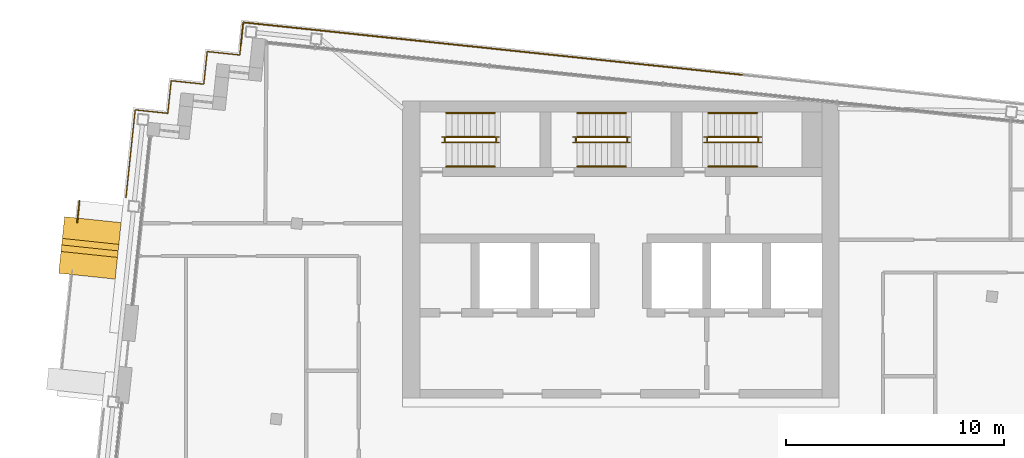
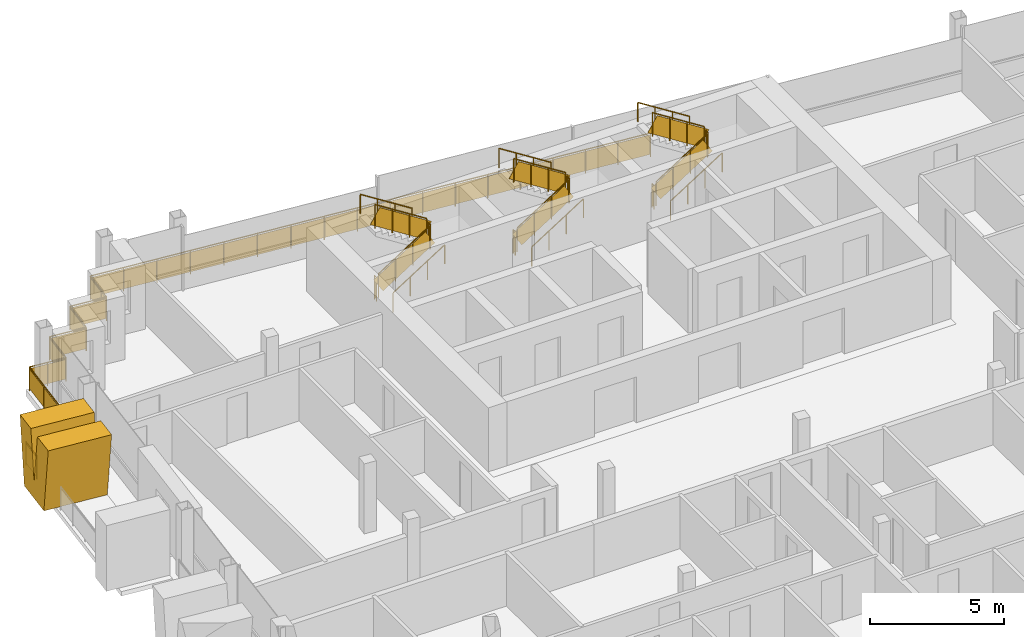
# One storey, part 16 of 17: 22 railings, 1 shading device.
"""IFC4 building model written with IfcOpenShell, lengths in metres."""

from ifc_helpers import new_model, si_unit, direction, frame, origin, origin_2d, place, context, subcontext, project, spatial, polyline, rectangle, circle, outline, extrude, material, layer, layer_set, type_object, element, save


model = new_model("IFC4")

# Units and contexts
model_context = context("Model", 3, precision=1e-05, world=origin(), true_north=direction((0.0, 1.0)))
body_context = subcontext(model_context, "Body", "Model", "MODEL_VIEW")
ifc_project = project(units=[si_unit("LENGTHUNIT", "METRE"), si_unit("AREAUNIT", "SQUARE_METRE"), si_unit("VOLUMEUNIT", "CUBIC_METRE"), si_unit("PLANEANGLEUNIT", "RADIAN"), si_unit("MASSUNIT", "GRAM", prefix="KILO")], contexts=[model_context])

# Site, building, storey
site_placement = place(None, origin())
site = spatial("IfcSite", under=ifc_project, at=site_placement, CompositionType="ELEMENT")
building_placement = place(site_placement, origin())
building = spatial("IfcBuilding", under=site, at=building_placement, Name="Vidyagriha Tower", CompositionType="ELEMENT")
storey_placement = place(building_placement, frame((0.0, 0.0, 269.10009765625)))
storey = spatial("IfcBuildingStorey", under=building, at=storey_placement, Name="L70", CompositionType="ELEMENT", Elevation=269.10009765625)

# Railing
ifc_material_1 = material(Name="Steel ASTM A500 Grade C black painted", Category="steel")
railing_type_1 = type_object("IfcRailingType", Name="Balcony guard 1100", PredefinedType="BALUSTRADE", material=ifc_material_1)
railing_1_placement = place(storey_placement, frame((-24.7763671875, 15.435302734375, 0.0)))
element("IfcRailing", 1, at=railing_1_placement, inside=storey, type_object=railing_type_1, Name="Balcony guard L70 R14.1-1", PredefinedType="BALUSTRADE", context=body_context, shape_type="SweptSolid", body=[
    extrude(circle(Radius=0.02490234375, at=origin_2d()), frame((0.0, 0.0, 1.0751953125), z_axis=(-0.104595526741, -0.994514844427, 0.0), x_axis=(0.994514844427, -0.104595526741, 0.0)), (0.0, 0.0, 1.0), 0.99658203125),
    extrude(circle(Radius=0.02001953125, at=origin_2d()), origin(), (0.0, 0.0, 1.0), 1.050048828125),
    extrude(circle(Radius=0.02001953125, at=origin_2d()), frame((-0.104248046875, -0.9912109375, 0.0)), (0.0, 0.0, 1.0), 1.050048828125),
    extrude(rectangle(XDim=0.010009765625, YDim=0.900146484375, at=origin_2d()), frame((0.0, 0.0, 0.550048828125), z_axis=(-0.104595526741, -0.994514844427, 0.0), x_axis=(0.994514844427, -0.104595526741, 0.0)), (0.0, 0.0, 1.0), 0.99658203125),
])

# Shading device
ifc_material_2 = material(Name="Precast concrete C40/50 with buff brick facing", Category="concrete")
ifc_layer = layer(ifc_material_2, 1.0)
ifc_layer_set = layer_set([ifc_layer], Name="Precast concrete C40/50 with buff brick facing")
shading_device_type = type_object("IfcShadingDeviceType", Name="Brick-faced blade fin forking 8 degrees", PredefinedType="USERDEFINED", material=ifc_layer_set)
shading_device_placement = place(storey_placement, frame((-24.163818359375, 14.56640625, 0.0), z_axis=(0.0, 0.0, 1.0), x_axis=(-0.104606575594, -0.99451368233, 0.0)))
element("IfcShadingDevice", 2, at=shading_device_placement, inside=storey, type_object=shading_device_type, Name="Forked blade fin L70 R14.330a", ObjectType="BLADE FIN", PredefinedType="USERDEFINED", context=body_context, shape_type="SweptSolid", body=[
    extrude(outline(polyline([(0.39990234375, 0.0), (2.199951171875, 0.0), (2.60009765625, 3.0), (1.60009765625, 3.0), (1.300048828125, 0.75), (1.0, 3.0), (0.0, 3.0), (0.39990234375, 0.0)])), frame((0.0, 1.300048828125, 0.0), z_axis=(0.0, -1.0, 0.0), x_axis=(1.0, 0.0, 0.0)), (0.0, 0.0, 1.0), 2.60009765625),
])

# Railings
ifc_material_3 = material(Name="Steel ASTM A500 Grade C black painted", Category="steel")
railing_type_2 = type_object("IfcRailingType", Name="Gallery guard 1100", PredefinedType="GUARDRAIL", material=ifc_material_3)
railing_2_placement = place(storey_placement, frame((-22.650390625, 15.57373046875, 0.0)))
element("IfcRailing", 3, at=railing_2_placement, inside=storey, type_object=railing_type_2, Name="Gallery guard L70 4", PredefinedType="GUARDRAIL", context=body_context, shape_type="SweptSolid", body=[
    extrude(circle(Radius=0.02490234375, at=origin_2d()), frame((0.0, 0.0, 1.0751953125), z_axis=(0.104546370699, 0.994520013058, 0.0), x_axis=(-0.994520013058, 0.104546370699, 0.0)), (0.0, 0.0, 1.0), 4.0400390625),
    extrude(circle(Radius=0.02490234375, at=origin_2d()), frame((0.42236328125, 4.017822265625, 1.0751953125), z_axis=(0.994526834051, -0.104481464157, 0.0), x_axis=(0.104481464157, 0.994526834051, 0.0)), (0.0, 0.0, 1.0), 1.500244140625),
    extrude(circle(Radius=0.02490234375, at=origin_2d()), frame((1.914306640625, 3.861083984375, 1.0751953125), z_axis=(0.104498377516, 0.994525057048, 0.0), x_axis=(-0.994525057048, 0.104498377516, 0.0)), (0.0, 0.0, 1.0), 1.5),
    extrude(circle(Radius=0.02490234375, at=origin_2d()), frame((2.071044921875, 5.352783203125, 1.0751953125), z_axis=(0.994525057048, -0.104498377516, 0.0), x_axis=(0.104498377516, 0.994525057048, 0.0)), (0.0, 0.0, 1.0), 1.5),
    extrude(circle(Radius=0.02490234375, at=origin_2d()), frame((3.562744140625, 5.196044921875, 1.0751953125), z_axis=(0.104498377516, 0.994525057048, 0.0), x_axis=(-0.994525057048, 0.104498377516, 0.0)), (0.0, 0.0, 1.0), 1.5),
    extrude(circle(Radius=0.02490234375, at=origin_2d()), frame((3.719482421875, 6.687744140625, 1.0751953125), z_axis=(0.994525057048, -0.104498377516, 0.0), x_axis=(0.104498377516, 0.994525057048, 0.0)), (0.0, 0.0, 1.0), 1.5),
    extrude(circle(Radius=0.02490234375, at=origin_2d()), frame((5.211181640625, 6.531005859375, 1.0751953125), z_axis=(0.10449150849, 0.994525778778, 0.0), x_axis=(-0.994525778778, 0.10449150849, 0.0)), (0.0, 0.0, 1.0), 0.460205078125),
    extrude(circle(Radius=0.02001953125, at=origin_2d()), origin(), (0.0, 0.0, 1.0), 1.050048828125),
    extrude(circle(Radius=0.02001953125, at=origin_2d()), frame((0.140869140625, 1.33935546875, 0.0)), (0.0, 0.0, 1.0), 1.050048828125),
    extrude(circle(Radius=0.02001953125, at=origin_2d()), frame((0.281494140625, 2.678466796875, 0.0)), (0.0, 0.0, 1.0), 1.050048828125),
    extrude(circle(Radius=0.02001953125, at=origin_2d()), frame((0.42236328125, 4.017822265625, 0.0)), (0.0, 0.0, 1.0), 1.050048828125),
    extrude(circle(Radius=0.02001953125, at=origin_2d()), frame((1.16845703125, 3.939453125, 0.0)), (0.0, 0.0, 1.0), 1.050048828125),
    extrude(circle(Radius=0.02001953125, at=origin_2d()), frame((1.914306640625, 3.861083984375, 0.0)), (0.0, 0.0, 1.0), 1.050048828125),
    extrude(circle(Radius=0.02001953125, at=origin_2d()), frame((2.071044921875, 5.352783203125, 0.0)), (0.0, 0.0, 1.0), 1.050048828125),
    extrude(circle(Radius=0.02001953125, at=origin_2d()), frame((3.562744140625, 5.196044921875, 0.0)), (0.0, 0.0, 1.0), 1.050048828125),
    extrude(circle(Radius=0.02001953125, at=origin_2d()), frame((3.719482421875, 6.687744140625, 0.0)), (0.0, 0.0, 1.0), 1.050048828125),
    extrude(circle(Radius=0.02001953125, at=origin_2d()), frame((5.211181640625, 6.531005859375, 0.0)), (0.0, 0.0, 1.0), 1.050048828125),
    extrude(circle(Radius=0.02001953125, at=origin_2d()), frame((5.25927734375, 6.98876953125, 0.0)), (0.0, 0.0, 1.0), 1.050048828125),
    extrude(rectangle(XDim=0.010009765625, YDim=0.900146484375, at=origin_2d()), frame((0.0, 0.0, 0.550048828125), z_axis=(0.104546370699, 0.994520013058, 0.0), x_axis=(-0.994520013058, 0.104546370699, 0.0)), (0.0, 0.0, 1.0), 4.0400390625),
    extrude(rectangle(XDim=0.010009765625, YDim=0.900146484375, at=origin_2d()), frame((0.42236328125, 4.017822265625, 0.550048828125), z_axis=(0.994526834051, -0.104481464157, 0.0), x_axis=(0.104481464157, 0.994526834051, 0.0)), (0.0, 0.0, 1.0), 1.500244140625),
    extrude(rectangle(XDim=0.010009765625, YDim=0.900146484375, at=origin_2d()), frame((1.914306640625, 3.861083984375, 0.550048828125), z_axis=(0.104498377516, 0.994525057048, 0.0), x_axis=(-0.994525057048, 0.104498377516, 0.0)), (0.0, 0.0, 1.0), 1.5),
    extrude(rectangle(XDim=0.010009765625, YDim=0.900146484375, at=origin_2d()), frame((2.071044921875, 5.352783203125, 0.550048828125), z_axis=(0.994525057048, -0.104498377516, 0.0), x_axis=(0.104498377516, 0.994525057048, 0.0)), (0.0, 0.0, 1.0), 1.5),
    extrude(rectangle(XDim=0.010009765625, YDim=0.900146484375, at=origin_2d()), frame((3.562744140625, 5.196044921875, 0.550048828125), z_axis=(0.104498377516, 0.994525057048, 0.0), x_axis=(-0.994525057048, 0.104498377516, 0.0)), (0.0, 0.0, 1.0), 1.5),
    extrude(rectangle(XDim=0.010009765625, YDim=0.900146484375, at=origin_2d()), frame((3.719482421875, 6.687744140625, 0.550048828125), z_axis=(0.994525057048, -0.104498377516, 0.0), x_axis=(0.104498377516, 0.994525057048, 0.0)), (0.0, 0.0, 1.0), 1.5),
    extrude(rectangle(XDim=0.010009765625, YDim=0.900146484375, at=origin_2d()), frame((5.211181640625, 6.531005859375, 0.550048828125), z_axis=(0.10449150849, 0.994525778778, 0.0), x_axis=(-0.994525778778, 0.10449150849, 0.0)), (0.0, 0.0, 1.0), 0.460205078125),
])
railing_3_placement = place(storey_placement, frame((-17.39111328125, 22.5625, 0.0)))
element("IfcRailing", 4, at=railing_3_placement, inside=storey, type_object=railing_type_2, Name="Gallery guard L70 5", PredefinedType="GUARDRAIL", context=body_context, shape_type="SweptSolid", body=[
    extrude(circle(Radius=0.02490234375, at=origin_2d()), frame((0.0, 0.0, 1.0751953125), z_axis=(0.104733680268, 0.994500304785, 0.0), x_axis=(-0.994500304785, 0.104733680268, 0.0)), (0.0, 0.0, 1.0), 1.03955078125),
    extrude(circle(Radius=0.02490234375, at=origin_2d()), frame((0.10888671875, 1.033935546875, 1.0751953125), z_axis=(0.994520943118, -0.104537522925, 0.0), x_axis=(0.104537522925, 0.994520943118, 0.0)), (0.0, 0.0, 1.0), 10.960205078125),
    extrude(circle(Radius=0.02001953125, at=origin_2d()), origin(), (0.0, 0.0, 1.0), 1.050048828125),
    extrude(circle(Radius=0.02001953125, at=origin_2d()), frame((0.10888671875, 1.033935546875, 0.0)), (0.0, 0.0, 1.0), 1.050048828125),
    extrude(circle(Radius=0.02001953125, at=origin_2d()), frame((1.471435546875, 0.890625, 0.0)), (0.0, 0.0, 1.0), 1.050048828125),
    extrude(circle(Radius=0.02001953125, at=origin_2d()), frame((2.833984375, 0.74755859375, 0.0)), (0.0, 0.0, 1.0), 1.050048828125),
    extrude(circle(Radius=0.02001953125, at=origin_2d()), frame((4.196533203125, 0.604248046875, 0.0)), (0.0, 0.0, 1.0), 1.050048828125),
    extrude(circle(Radius=0.02001953125, at=origin_2d()), frame((5.55908203125, 0.4609375, 0.0)), (0.0, 0.0, 1.0), 1.050048828125),
    extrude(circle(Radius=0.02001953125, at=origin_2d()), frame((6.92138671875, 0.31787109375, 0.0)), (0.0, 0.0, 1.0), 1.050048828125),
    extrude(circle(Radius=0.02001953125, at=origin_2d()), frame((8.283935546875, 0.174560546875, 0.0)), (0.0, 0.0, 1.0), 1.050048828125),
    extrude(circle(Radius=0.02001953125, at=origin_2d()), frame((9.646484375, 0.031494140625, 0.0)), (0.0, 0.0, 1.0), 1.050048828125),
    extrude(circle(Radius=0.02001953125, at=origin_2d()), frame((11.009033203125, -0.11181640625, 0.0)), (0.0, 0.0, 1.0), 1.050048828125),
    extrude(rectangle(XDim=0.010009765625, YDim=0.900146484375, at=origin_2d()), frame((0.0, 0.0, 0.550048828125), z_axis=(0.104733680268, 0.994500304785, 0.0), x_axis=(-0.994500304785, 0.104733680268, 0.0)), (0.0, 0.0, 1.0), 1.03955078125),
    extrude(rectangle(XDim=0.010009765625, YDim=0.900146484375, at=origin_2d()), frame((0.10888671875, 1.033935546875, 0.550048828125), z_axis=(0.994520943118, -0.104537522925, 0.0), x_axis=(0.104537522925, 0.994520943118, 0.0)), (0.0, 0.0, 1.0), 10.960205078125),
])
railing_4_placement = place(storey_placement, frame((-6.382080078125, 22.45068359375, 0.0)))
element("IfcRailing", 5, at=railing_4_placement, inside=storey, type_object=railing_type_2, Name="Gallery guard L70 6", PredefinedType="GUARDRAIL", context=body_context, shape_type="SweptSolid", body=[
    extrude(circle(Radius=0.02490234375, at=origin_2d()), frame((0.0, 0.0, 1.0751953125), z_axis=(0.994523609071, -0.104512157188, 0.0), x_axis=(0.104512157188, 0.994523609071, 0.0)), (0.0, 0.0, 1.0), 12.0),
    extrude(circle(Radius=0.02001953125, at=origin_2d()), origin(), (0.0, 0.0, 1.0), 1.050048828125),
    extrude(circle(Radius=0.02001953125, at=origin_2d()), frame((1.325927734375, -0.139404296875, 0.0)), (0.0, 0.0, 1.0), 1.050048828125),
    extrude(circle(Radius=0.02001953125, at=origin_2d()), frame((2.652099609375, -0.27880859375, 0.0)), (0.0, 0.0, 1.0), 1.050048828125),
    extrude(circle(Radius=0.02001953125, at=origin_2d()), frame((3.97802734375, -0.41796875, 0.0)), (0.0, 0.0, 1.0), 1.050048828125),
    extrude(circle(Radius=0.02001953125, at=origin_2d()), frame((5.30419921875, -0.557373046875, 0.0)), (0.0, 0.0, 1.0), 1.050048828125),
    extrude(circle(Radius=0.02001953125, at=origin_2d()), frame((6.630126953125, -0.69677734375, 0.0)), (0.0, 0.0, 1.0), 1.050048828125),
    extrude(circle(Radius=0.02001953125, at=origin_2d()), frame((7.956298828125, -0.836181640625, 0.0)), (0.0, 0.0, 1.0), 1.050048828125),
    extrude(circle(Radius=0.02001953125, at=origin_2d()), frame((9.2822265625, -0.975341796875, 0.0)), (0.0, 0.0, 1.0), 1.050048828125),
    extrude(circle(Radius=0.02001953125, at=origin_2d()), frame((10.6083984375, -1.11474609375, 0.0)), (0.0, 0.0, 1.0), 1.050048828125),
    extrude(circle(Radius=0.02001953125, at=origin_2d()), frame((11.934326171875, -1.254150390625, 0.0)), (0.0, 0.0, 1.0), 1.050048828125),
    extrude(rectangle(XDim=0.010009765625, YDim=0.900146484375, at=origin_2d()), frame((0.0, 0.0, 0.550048828125), z_axis=(0.994523609071, -0.104512157188, 0.0), x_axis=(0.104512157188, 0.994523609071, 0.0)), (0.0, 0.0, 1.0), 12.0),
])
ifc_material_4 = material(Name="Steel ASTM A500 Grade C", Category="steel")
railing_type_3 = type_object("IfcRailingType", Name="Stair guard 1100 mm, steel balustrade", PredefinedType="GUARDRAIL", material=ifc_material_4)
railing_5_placement = place(storey_placement, frame((-8.0, 18.10009765625, 0.177734375)))
element("IfcRailing", 6, at=railing_5_placement, inside=storey, type_object=railing_type_3, Name="L70 ST1 stair guard 1", PredefinedType="GUARDRAIL", context=body_context, shape_type="SweptSolid", body=[
    extrude(circle(Radius=0.02392578125, at=origin_2d()), frame((0.0, 0.0, 1.076171875), z_axis=(0.8442293374, 0.0, 0.53598211339), x_axis=(0.0, 1.0, 0.0)), (0.0, 0.0, 1.0), 2.6533203125),
    extrude(circle(Radius=0.02099609375, at=origin_2d()), origin(), (0.0, 0.0, 1.0), 1.052001953125),
    extrude(circle(Radius=0.02099609375, at=origin_2d()), frame((0.74658203125, 0.0, 0.47412109375)), (0.0, 0.0, 1.0), 1.052001953125),
    extrude(circle(Radius=0.02099609375, at=origin_2d()), frame((1.493408203125, 0.0, 0.947998046875)), (0.0, 0.0, 1.0), 1.052001953125),
    extrude(circle(Radius=0.02099609375, at=origin_2d()), frame((2.239990234375, 0.0, 1.422119140625)), (0.0, 0.0, 1.0), 1.052001953125),
    extrude(rectangle(XDim=0.010009765625, YDim=0.761474609375, at=origin_2d()), frame((0.0, 0.0, 0.551025390625), z_axis=(0.8442293374, 0.0, 0.53598211339), x_axis=(0.0, 1.0, 0.0)), (0.0, 0.0, 1.0), 2.6533203125),
])
railing_6_placement = place(storey_placement, frame((-5.7099609375, 18.14990234375, 1.599853515625)))
element("IfcRailing", 7, at=railing_6_placement, inside=storey, type_object=railing_type_3, Name="L70 ST1 stair guard 2", PredefinedType="GUARDRAIL", context=body_context, shape_type="SweptSolid", body=[
    extrude(circle(Radius=0.02392578125, at=origin_2d()), frame((0.0, 0.0, 1.076171875), z_axis=(0.0, 1.0, 0.0), x_axis=(-1.0, 0.0, 0.0)), (0.0, 0.0, 1.0), 0.150146484375),
    extrude(circle(Radius=0.02099609375, at=origin_2d()), origin(), (0.0, 0.0, 1.0), 1.052001953125),
    extrude(circle(Radius=0.02099609375, at=origin_2d()), frame((0.0, 0.150146484375, 0.0)), (0.0, 0.0, 1.0), 1.052001953125),
    extrude(rectangle(XDim=0.010009765625, YDim=0.902099609375, at=origin_2d()), frame((0.0, 0.0, 0.551025390625), z_axis=(0.0, 1.0, 0.0), x_axis=(-1.0, 0.0, 0.0)), (0.0, 0.0, 1.0), 0.150146484375),
])
railing_7_placement = place(storey_placement, frame((-5.760009765625, 18.35009765625, 1.777587890625)))
element("IfcRailing", 8, at=railing_7_placement, inside=storey, type_object=railing_type_3, Name="L70 ST1 stair guard 3", PredefinedType="GUARDRAIL", context=body_context, shape_type="SweptSolid", body=[
    extrude(circle(Radius=0.02392578125, at=origin_2d()), frame((0.0, 0.0, 1.076171875), z_axis=(-0.84418770128, 0.0, 0.536047689118), x_axis=(0.0, -1.0, 0.0)), (0.0, 0.0, 1.0), 2.6533203125),
    extrude(circle(Radius=0.02099609375, at=origin_2d()), origin(), (0.0, 0.0, 1.0), 1.052001953125),
    extrude(circle(Radius=0.02099609375, at=origin_2d()), frame((-0.74658203125, 0.0, 0.47412109375)), (0.0, 0.0, 1.0), 1.052001953125),
    extrude(circle(Radius=0.02099609375, at=origin_2d()), frame((-1.493408203125, 0.0, 0.9482421875)), (0.0, 0.0, 1.0), 1.052001953125),
    extrude(circle(Radius=0.02099609375, at=origin_2d()), frame((-2.239990234375, 0.0, 1.42236328125)), (0.0, 0.0, 1.0), 1.052001953125),
    extrude(rectangle(XDim=0.010009765625, YDim=0.761474609375, at=origin_2d()), frame((0.0, 0.0, 0.551025390625), z_axis=(-0.84418770128, 0.0, 0.536047689118), x_axis=(0.0, -1.0, 0.0)), (0.0, 0.0, 1.0), 2.6533203125),
])
railing_8_placement = place(storey_placement, frame((-8.050048828125, 18.14990234375, 0.0)))
element("IfcRailing", 9, at=railing_8_placement, inside=storey, type_object=railing_type_3, Name="L70 ST1 stair guard 4", PredefinedType="GUARDRAIL", context=body_context, shape_type="SweptSolid", body=[
    extrude(circle(Radius=0.02392578125, at=origin_2d()), frame((0.0, 0.0, 1.076171875), z_axis=(0.0, 1.0, 0.0), x_axis=(-1.0, 0.0, 0.0)), (0.0, 0.0, 1.0), 0.150146484375),
    extrude(circle(Radius=0.02099609375, at=origin_2d()), origin(), (0.0, 0.0, 1.0), 1.052001953125),
    extrude(circle(Radius=0.02099609375, at=origin_2d()), frame((0.0, 0.150146484375, 0.0)), (0.0, 0.0, 1.0), 1.052001953125),
    extrude(rectangle(XDim=0.010009765625, YDim=0.902099609375, at=origin_2d()), frame((0.0, 0.0, 0.551025390625), z_axis=(0.0, 1.0, 0.0), x_axis=(-1.0, 0.0, 0.0)), (0.0, 0.0, 1.0), 0.150146484375),
])
railing_9_placement = place(storey_placement, frame((-2.0, 18.10009765625, 0.177734375)))
element("IfcRailing", 10, at=railing_9_placement, inside=storey, type_object=railing_type_3, Name="L70 ST2 stair guard 1", PredefinedType="GUARDRAIL", context=body_context, shape_type="SweptSolid", body=[
    extrude(circle(Radius=0.02392578125, at=origin_2d()), frame((0.0, 0.0, 1.076171875), z_axis=(0.8442293374, 0.0, 0.53598211339), x_axis=(0.0, 1.0, 0.0)), (0.0, 0.0, 1.0), 2.6533203125),
    extrude(circle(Radius=0.02099609375, at=origin_2d()), origin(), (0.0, 0.0, 1.0), 1.052001953125),
    extrude(circle(Radius=0.02099609375, at=origin_2d()), frame((0.74658203125, 0.0, 0.47412109375)), (0.0, 0.0, 1.0), 1.052001953125),
    extrude(circle(Radius=0.02099609375, at=origin_2d()), frame((1.493408203125, 0.0, 0.947998046875)), (0.0, 0.0, 1.0), 1.052001953125),
    extrude(circle(Radius=0.02099609375, at=origin_2d()), frame((2.239990234375, 0.0, 1.422119140625)), (0.0, 0.0, 1.0), 1.052001953125),
    extrude(rectangle(XDim=0.010009765625, YDim=0.761474609375, at=origin_2d()), frame((0.0, 0.0, 0.551025390625), z_axis=(0.8442293374, 0.0, 0.53598211339), x_axis=(0.0, 1.0, 0.0)), (0.0, 0.0, 1.0), 2.6533203125),
])
railing_10_placement = place(storey_placement, frame((0.2900390625, 18.14990234375, 1.599853515625)))
element("IfcRailing", 11, at=railing_10_placement, inside=storey, type_object=railing_type_3, Name="L70 ST2 stair guard 2", PredefinedType="GUARDRAIL", context=body_context, shape_type="SweptSolid", body=[
    extrude(circle(Radius=0.02392578125, at=origin_2d()), frame((0.0, 0.0, 1.076171875), z_axis=(0.0, 1.0, 0.0), x_axis=(-1.0, 0.0, 0.0)), (0.0, 0.0, 1.0), 0.150146484375),
    extrude(circle(Radius=0.02099609375, at=origin_2d()), origin(), (0.0, 0.0, 1.0), 1.052001953125),
    extrude(circle(Radius=0.02099609375, at=origin_2d()), frame((0.0, 0.150146484375, 0.0)), (0.0, 0.0, 1.0), 1.052001953125),
    extrude(rectangle(XDim=0.010009765625, YDim=0.902099609375, at=origin_2d()), frame((0.0, 0.0, 0.551025390625), z_axis=(0.0, 1.0, 0.0), x_axis=(-1.0, 0.0, 0.0)), (0.0, 0.0, 1.0), 0.150146484375),
])
railing_11_placement = place(storey_placement, frame((0.239990234375, 18.35009765625, 1.777587890625)))
element("IfcRailing", 12, at=railing_11_placement, inside=storey, type_object=railing_type_3, Name="L70 ST2 stair guard 3", PredefinedType="GUARDRAIL", context=body_context, shape_type="SweptSolid", body=[
    extrude(circle(Radius=0.02392578125, at=origin_2d()), frame((0.0, 0.0, 1.076171875), z_axis=(-0.84418770128, 0.0, 0.536047689118), x_axis=(0.0, -1.0, 0.0)), (0.0, 0.0, 1.0), 2.6533203125),
    extrude(circle(Radius=0.02099609375, at=origin_2d()), origin(), (0.0, 0.0, 1.0), 1.052001953125),
    extrude(circle(Radius=0.02099609375, at=origin_2d()), frame((-0.74658203125, 0.0, 0.47412109375)), (0.0, 0.0, 1.0), 1.052001953125),
    extrude(circle(Radius=0.02099609375, at=origin_2d()), frame((-1.493408203125, 0.0, 0.9482421875)), (0.0, 0.0, 1.0), 1.052001953125),
    extrude(circle(Radius=0.02099609375, at=origin_2d()), frame((-2.239990234375, 0.0, 1.42236328125)), (0.0, 0.0, 1.0), 1.052001953125),
    extrude(rectangle(XDim=0.010009765625, YDim=0.761474609375, at=origin_2d()), frame((0.0, 0.0, 0.551025390625), z_axis=(-0.84418770128, 0.0, 0.536047689118), x_axis=(0.0, -1.0, 0.0)), (0.0, 0.0, 1.0), 2.6533203125),
])
railing_12_placement = place(storey_placement, frame((-2.050048828125, 18.14990234375, 0.0)))
element("IfcRailing", 13, at=railing_12_placement, inside=storey, type_object=railing_type_3, Name="L70 ST2 stair guard 4", PredefinedType="GUARDRAIL", context=body_context, shape_type="SweptSolid", body=[
    extrude(circle(Radius=0.02392578125, at=origin_2d()), frame((0.0, 0.0, 1.076171875), z_axis=(0.0, 1.0, 0.0), x_axis=(-1.0, 0.0, 0.0)), (0.0, 0.0, 1.0), 0.150146484375),
    extrude(circle(Radius=0.02099609375, at=origin_2d()), origin(), (0.0, 0.0, 1.0), 1.052001953125),
    extrude(circle(Radius=0.02099609375, at=origin_2d()), frame((0.0, 0.150146484375, 0.0)), (0.0, 0.0, 1.0), 1.052001953125),
    extrude(rectangle(XDim=0.010009765625, YDim=0.902099609375, at=origin_2d()), frame((0.0, 0.0, 0.551025390625), z_axis=(0.0, 1.0, 0.0), x_axis=(-1.0, 0.0, 0.0)), (0.0, 0.0, 1.0), 0.150146484375),
])
railing_13_placement = place(storey_placement, frame((4.0, 18.10009765625, 0.177734375)))
element("IfcRailing", 14, at=railing_13_placement, inside=storey, type_object=railing_type_3, Name="L70 ST3 stair guard 1", PredefinedType="GUARDRAIL", context=body_context, shape_type="SweptSolid", body=[
    extrude(circle(Radius=0.02392578125, at=origin_2d()), frame((0.0, 0.0, 1.076171875), z_axis=(0.8442293374, 0.0, 0.53598211339), x_axis=(0.0, 1.0, 0.0)), (0.0, 0.0, 1.0), 2.6533203125),
    extrude(circle(Radius=0.02099609375, at=origin_2d()), origin(), (0.0, 0.0, 1.0), 1.052001953125),
    extrude(circle(Radius=0.02099609375, at=origin_2d()), frame((0.74658203125, 0.0, 0.47412109375)), (0.0, 0.0, 1.0), 1.052001953125),
    extrude(circle(Radius=0.02099609375, at=origin_2d()), frame((1.493408203125, 0.0, 0.947998046875)), (0.0, 0.0, 1.0), 1.052001953125),
    extrude(circle(Radius=0.02099609375, at=origin_2d()), frame((2.239990234375, 0.0, 1.422119140625)), (0.0, 0.0, 1.0), 1.052001953125),
    extrude(rectangle(XDim=0.010009765625, YDim=0.761474609375, at=origin_2d()), frame((0.0, 0.0, 0.551025390625), z_axis=(0.8442293374, 0.0, 0.53598211339), x_axis=(0.0, 1.0, 0.0)), (0.0, 0.0, 1.0), 2.6533203125),
])
railing_14_placement = place(storey_placement, frame((6.2900390625, 18.14990234375, 1.599853515625)))
element("IfcRailing", 15, at=railing_14_placement, inside=storey, type_object=railing_type_3, Name="L70 ST3 stair guard 2", PredefinedType="GUARDRAIL", context=body_context, shape_type="SweptSolid", body=[
    extrude(circle(Radius=0.02392578125, at=origin_2d()), frame((0.0, 0.0, 1.076171875), z_axis=(0.0, 1.0, 0.0), x_axis=(-1.0, 0.0, 0.0)), (0.0, 0.0, 1.0), 0.150146484375),
    extrude(circle(Radius=0.02099609375, at=origin_2d()), origin(), (0.0, 0.0, 1.0), 1.052001953125),
    extrude(circle(Radius=0.02099609375, at=origin_2d()), frame((0.0, 0.150146484375, 0.0)), (0.0, 0.0, 1.0), 1.052001953125),
    extrude(rectangle(XDim=0.010009765625, YDim=0.902099609375, at=origin_2d()), frame((0.0, 0.0, 0.551025390625), z_axis=(0.0, 1.0, 0.0), x_axis=(-1.0, 0.0, 0.0)), (0.0, 0.0, 1.0), 0.150146484375),
])
railing_15_placement = place(storey_placement, frame((6.239990234375, 18.35009765625, 1.777587890625)))
element("IfcRailing", 16, at=railing_15_placement, inside=storey, type_object=railing_type_3, Name="L70 ST3 stair guard 3", PredefinedType="GUARDRAIL", context=body_context, shape_type="SweptSolid", body=[
    extrude(circle(Radius=0.02392578125, at=origin_2d()), frame((0.0, 0.0, 1.076171875), z_axis=(-0.84418770128, 0.0, 0.536047689118), x_axis=(0.0, -1.0, 0.0)), (0.0, 0.0, 1.0), 2.6533203125),
    extrude(circle(Radius=0.02099609375, at=origin_2d()), origin(), (0.0, 0.0, 1.0), 1.052001953125),
    extrude(circle(Radius=0.02099609375, at=origin_2d()), frame((-0.74658203125, 0.0, 0.47412109375)), (0.0, 0.0, 1.0), 1.052001953125),
    extrude(circle(Radius=0.02099609375, at=origin_2d()), frame((-1.493408203125, 0.0, 0.9482421875)), (0.0, 0.0, 1.0), 1.052001953125),
    extrude(circle(Radius=0.02099609375, at=origin_2d()), frame((-2.239990234375, 0.0, 1.42236328125)), (0.0, 0.0, 1.0), 1.052001953125),
    extrude(rectangle(XDim=0.010009765625, YDim=0.761474609375, at=origin_2d()), frame((0.0, 0.0, 0.551025390625), z_axis=(-0.84418770128, 0.0, 0.536047689118), x_axis=(0.0, -1.0, 0.0)), (0.0, 0.0, 1.0), 2.6533203125),
])
railing_16_placement = place(storey_placement, frame((3.949951171875, 18.14990234375, 0.0)))
element("IfcRailing", 17, at=railing_16_placement, inside=storey, type_object=railing_type_3, Name="L70 ST3 stair guard 4", PredefinedType="GUARDRAIL", context=body_context, shape_type="SweptSolid", body=[
    extrude(circle(Radius=0.02392578125, at=origin_2d()), frame((0.0, 0.0, 1.076171875), z_axis=(0.0, 1.0, 0.0), x_axis=(-1.0, 0.0, 0.0)), (0.0, 0.0, 1.0), 0.150146484375),
    extrude(circle(Radius=0.02099609375, at=origin_2d()), origin(), (0.0, 0.0, 1.0), 1.052001953125),
    extrude(circle(Radius=0.02099609375, at=origin_2d()), frame((0.0, 0.150146484375, 0.0)), (0.0, 0.0, 1.0), 1.052001953125),
    extrude(rectangle(XDim=0.010009765625, YDim=0.902099609375, at=origin_2d()), frame((0.0, 0.0, 0.551025390625), z_axis=(0.0, 1.0, 0.0), x_axis=(-1.0, 0.0, 0.0)), (0.0, 0.0, 1.0), 0.150146484375),
])
ifc_material_5 = material(Name="Steel ASTM A500 Grade C", Category="steel")
railing_type_4 = type_object("IfcRailingType", Name="Stair handrail 900 mm, steel", PredefinedType="HANDRAIL", material=ifc_material_5)
railing_17_placement = place(storey_placement, frame((-8.0, 17.0, 0.177734375)))
element("IfcRailing", 18, at=railing_17_placement, inside=storey, type_object=railing_type_4, Name="L70 ST1 stair handrail 1", PredefinedType="HANDRAIL", context=body_context, shape_type="SweptSolid", body=[
    extrude(circle(Radius=0.02392578125, at=origin_2d()), frame((0.0, 0.0, 0.8759765625), z_axis=(0.8442293374, 0.0, 0.53598211339), x_axis=(0.0, 1.0, 0.0)), (0.0, 0.0, 1.0), 2.6533203125),
    extrude(circle(Radius=0.02099609375, at=origin_2d()), origin(), (0.0, 0.0, 1.0), 0.851806640625),
    extrude(circle(Radius=0.02099609375, at=origin_2d()), frame((0.74658203125, 0.0, 0.47412109375)), (0.0, 0.0, 1.0), 0.851806640625),
    extrude(circle(Radius=0.02099609375, at=origin_2d()), frame((1.493408203125, 0.0, 0.947998046875)), (0.0, 0.0, 1.0), 0.851806640625),
    extrude(circle(Radius=0.02099609375, at=origin_2d()), frame((2.239990234375, 0.0, 1.422119140625)), (0.0, 0.0, 1.0), 0.851806640625),
])
railing_18_placement = place(storey_placement, frame((-5.760009765625, 19.449951171875, 1.777587890625)))
element("IfcRailing", 19, at=railing_18_placement, inside=storey, type_object=railing_type_4, Name="L70 ST1 stair handrail 2", PredefinedType="HANDRAIL", context=body_context, shape_type="SweptSolid", body=[
    extrude(circle(Radius=0.02392578125, at=origin_2d()), frame((0.0, 0.0, 0.8759765625), z_axis=(-0.84418770128, 0.0, 0.536047689118), x_axis=(0.0, -1.0, 0.0)), (0.0, 0.0, 1.0), 2.6533203125),
    extrude(circle(Radius=0.02099609375, at=origin_2d()), origin(), (0.0, 0.0, 1.0), 0.851806640625),
    extrude(circle(Radius=0.02099609375, at=origin_2d()), frame((-0.74658203125, 0.0, 0.47412109375)), (0.0, 0.0, 1.0), 0.851806640625),
    extrude(circle(Radius=0.02099609375, at=origin_2d()), frame((-1.493408203125, 0.0, 0.9482421875)), (0.0, 0.0, 1.0), 0.851806640625),
    extrude(circle(Radius=0.02099609375, at=origin_2d()), frame((-2.239990234375, 0.0, 1.42236328125)), (0.0, 0.0, 1.0), 0.851806640625),
])
railing_19_placement = place(storey_placement, frame((-2.0, 17.0, 0.177734375)))
element("IfcRailing", 20, at=railing_19_placement, inside=storey, type_object=railing_type_4, Name="L70 ST2 stair handrail 1", PredefinedType="HANDRAIL", context=body_context, shape_type="SweptSolid", body=[
    extrude(circle(Radius=0.02392578125, at=origin_2d()), frame((0.0, 0.0, 0.8759765625), z_axis=(0.8442293374, 0.0, 0.53598211339), x_axis=(0.0, 1.0, 0.0)), (0.0, 0.0, 1.0), 2.6533203125),
    extrude(circle(Radius=0.02099609375, at=origin_2d()), origin(), (0.0, 0.0, 1.0), 0.851806640625),
    extrude(circle(Radius=0.02099609375, at=origin_2d()), frame((0.74658203125, 0.0, 0.47412109375)), (0.0, 0.0, 1.0), 0.851806640625),
    extrude(circle(Radius=0.02099609375, at=origin_2d()), frame((1.493408203125, 0.0, 0.947998046875)), (0.0, 0.0, 1.0), 0.851806640625),
    extrude(circle(Radius=0.02099609375, at=origin_2d()), frame((2.239990234375, 0.0, 1.422119140625)), (0.0, 0.0, 1.0), 0.851806640625),
])
railing_20_placement = place(storey_placement, frame((0.239990234375, 19.449951171875, 1.777587890625)))
element("IfcRailing", 21, at=railing_20_placement, inside=storey, type_object=railing_type_4, Name="L70 ST2 stair handrail 2", PredefinedType="HANDRAIL", context=body_context, shape_type="SweptSolid", body=[
    extrude(circle(Radius=0.02392578125, at=origin_2d()), frame((0.0, 0.0, 0.8759765625), z_axis=(-0.84418770128, 0.0, 0.536047689118), x_axis=(0.0, -1.0, 0.0)), (0.0, 0.0, 1.0), 2.6533203125),
    extrude(circle(Radius=0.02099609375, at=origin_2d()), origin(), (0.0, 0.0, 1.0), 0.851806640625),
    extrude(circle(Radius=0.02099609375, at=origin_2d()), frame((-0.74658203125, 0.0, 0.47412109375)), (0.0, 0.0, 1.0), 0.851806640625),
    extrude(circle(Radius=0.02099609375, at=origin_2d()), frame((-1.493408203125, 0.0, 0.9482421875)), (0.0, 0.0, 1.0), 0.851806640625),
    extrude(circle(Radius=0.02099609375, at=origin_2d()), frame((-2.239990234375, 0.0, 1.42236328125)), (0.0, 0.0, 1.0), 0.851806640625),
])
railing_21_placement = place(storey_placement, frame((4.0, 17.0, 0.177734375)))
element("IfcRailing", 22, at=railing_21_placement, inside=storey, type_object=railing_type_4, Name="L70 ST3 stair handrail 1", PredefinedType="HANDRAIL", context=body_context, shape_type="SweptSolid", body=[
    extrude(circle(Radius=0.02392578125, at=origin_2d()), frame((0.0, 0.0, 0.8759765625), z_axis=(0.8442293374, 0.0, 0.53598211339), x_axis=(0.0, 1.0, 0.0)), (0.0, 0.0, 1.0), 2.6533203125),
    extrude(circle(Radius=0.02099609375, at=origin_2d()), origin(), (0.0, 0.0, 1.0), 0.851806640625),
    extrude(circle(Radius=0.02099609375, at=origin_2d()), frame((0.74658203125, 0.0, 0.47412109375)), (0.0, 0.0, 1.0), 0.851806640625),
    extrude(circle(Radius=0.02099609375, at=origin_2d()), frame((1.493408203125, 0.0, 0.947998046875)), (0.0, 0.0, 1.0), 0.851806640625),
    extrude(circle(Radius=0.02099609375, at=origin_2d()), frame((2.239990234375, 0.0, 1.422119140625)), (0.0, 0.0, 1.0), 0.851806640625),
])
railing_22_placement = place(storey_placement, frame((6.239990234375, 19.449951171875, 1.777587890625)))
element("IfcRailing", 23, at=railing_22_placement, inside=storey, type_object=railing_type_4, Name="L70 ST3 stair handrail 2", PredefinedType="HANDRAIL", context=body_context, shape_type="SweptSolid", body=[
    extrude(circle(Radius=0.02392578125, at=origin_2d()), frame((0.0, 0.0, 0.8759765625), z_axis=(-0.84418770128, 0.0, 0.536047689118), x_axis=(0.0, -1.0, 0.0)), (0.0, 0.0, 1.0), 2.6533203125),
    extrude(circle(Radius=0.02099609375, at=origin_2d()), origin(), (0.0, 0.0, 1.0), 0.851806640625),
    extrude(circle(Radius=0.02099609375, at=origin_2d()), frame((-0.74658203125, 0.0, 0.47412109375)), (0.0, 0.0, 1.0), 0.851806640625),
    extrude(circle(Radius=0.02099609375, at=origin_2d()), frame((-1.493408203125, 0.0, 0.9482421875)), (0.0, 0.0, 1.0), 0.851806640625),
    extrude(circle(Radius=0.02099609375, at=origin_2d()), frame((-2.239990234375, 0.0, 1.42236328125)), (0.0, 0.0, 1.0), 0.851806640625),
])

save(model, "model.ifc")
